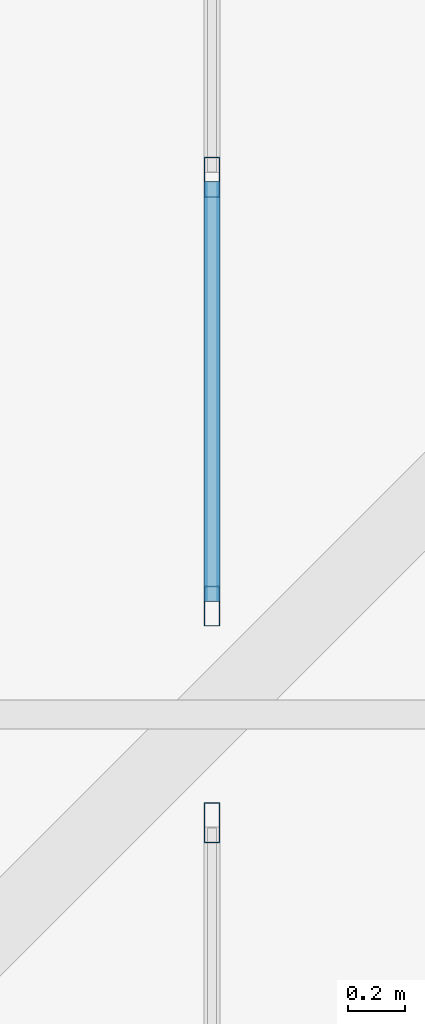
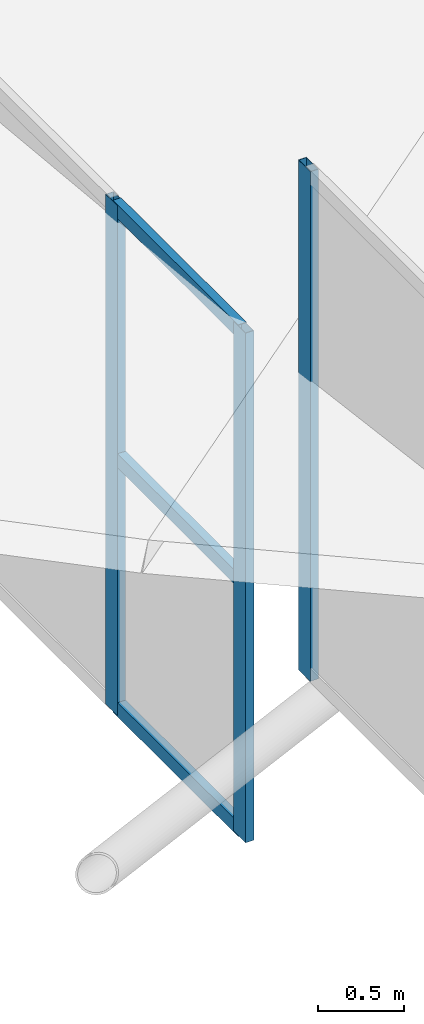
# One storey, part 294 of 397: 6 members, 2 elements without a shape of their own.
"""IFC4 building model written with IfcOpenShell, lengths in metres."""

from ifc_helpers import new_model, si_unit, direction, frame, origin, origin_2d, place, context, subcontext, project, spatial, hollow_rectangle, extrude, material, material_profile, profile_set, type_object, element, aggregate, save


model = new_model("IFC4")

# Units and contexts
model_context = context("Model", 3, precision=1e-05, world=origin(), true_north=direction((0.0, 1.0)))
body_context = subcontext(model_context, "Body", "Model", "MODEL_VIEW")
ifc_project = project(units=[si_unit("LENGTHUNIT", "METRE"), si_unit("AREAUNIT", "SQUARE_METRE"), si_unit("VOLUMEUNIT", "CUBIC_METRE"), si_unit("PLANEANGLEUNIT", "RADIAN"), si_unit("MASSUNIT", "GRAM", prefix="KILO")], contexts=[model_context])

# Site, building, storey
site_placement = place(None, origin())
site = spatial("IfcSite", under=ifc_project, at=site_placement, CompositionType="ELEMENT")
building_placement = place(site_placement, origin())
building = spatial("IfcBuilding", under=site, at=building_placement, Name="Qandorah Velis Arena", CompositionType="ELEMENT")
storey_placement = place(building_placement, frame((0.0, 0.0, 27.5)))
storey = spatial("IfcBuildingStorey", under=building, at=storey_placement, Name="RF", CompositionType="ELEMENT", Elevation=27.5)

# Curtain wall, member
ifc_material_1 = material(Name="Solar-control low-E double glazing", Category="glass")
curtain_wall_type_1 = type_object("IfcCurtainWallType", Name="ARC-CW-SYS17", PredefinedType="USERDEFINED", material=ifc_material_1)
curtain_wall_1_placement = place(storey_placement, origin())
curtain_wall_1 = element("IfcCurtainWall", 1, at=curtain_wall_1_placement, inside=storey, type_object=curtain_wall_type_1, Name="Unitised curtain wall MON-2-5", ObjectType="UNITISED CURTAIN WALL", PredefinedType="USERDEFINED")
ifc_material_2 = material(Name="Champagne-bronze anodized aluminium 6063-T6", Category="aluminium")
ifc_material_profile_1 = material_profile(ifc_material_2, hollow_rectangle(XDim=0.054931640625, YDim=0.139892578125, WallThickness=0.0029296875, at=origin_2d()), Name="ALU MULLION 55x140")
ifc_profile_set_1 = profile_set([ifc_material_profile_1], Name="Champagne-bronze anodized aluminium 6063-T6")
member_type_1 = type_object("IfcMemberType", Name="ARC-CWM-140", PredefinedType="MULLION", material=ifc_profile_set_1)
member_1_placement = place(storey_placement, frame((108.0, 93.222412109375, 5.13427734375), z_axis=(0.0, 0.0, 1.0), x_axis=(-1.0, 0.0, 0.0)))
member_1 = element("IfcMember", 2, at=member_1_placement, type_object=member_type_1, Name="CW17 mullion 10", PredefinedType="MULLION", context=body_context, shape_type="SweptSolid", body=[
    extrude(hollow_rectangle(XDim=0.054931640625, YDim=0.139892578125, WallThickness=0.0029296875, at=origin_2d()), origin(), (0.0, 0.0, 1.0), 3.630126953125),
])
aggregate(curtain_wall_1, [member_1])

# Curtain wall, members
curtain_wall_type_2 = type_object("IfcCurtainWallType", Name="ARC-CW-SYS18", PredefinedType="USERDEFINED", material=ifc_material_1)
curtain_wall_2_placement = place(storey_placement, origin())
curtain_wall_2 = element("IfcCurtainWall", 3, at=curtain_wall_2_placement, inside=storey, type_object=curtain_wall_type_2, Name="Unitised curtain wall MON-2-6", ObjectType="UNITISED CURTAIN WALL", PredefinedType="USERDEFINED")
member_2_placement = place(storey_placement, frame((108.0, 93.9775390625, 3.5263671875), z_axis=(0.0, 0.0, 1.0), x_axis=(-1.0, 0.0, 0.0)))
member_2 = element("IfcMember", 4, at=member_2_placement, type_object=member_type_1, Name="CW18 mullion 1", PredefinedType="MULLION", context=body_context, shape_type="SweptSolid", body=[
    extrude(hollow_rectangle(XDim=0.054931640625, YDim=0.139892578125, WallThickness=0.0029296875, at=origin_2d()), origin(), (0.0, 0.0, 1.0), 3.630126953125),
])
member_3_placement = place(storey_placement, frame((108.0, 95.47216796875, 3.5263671875), z_axis=(0.0, 0.0, 1.0), x_axis=(-1.0, 0.0, 0.0)))
member_3 = element("IfcMember", 5, at=member_3_placement, type_object=member_type_1, Name="CW18 mullion 2", PredefinedType="MULLION", context=body_context, shape_type="SweptSolid", body=[
    extrude(hollow_rectangle(XDim=0.054931640625, YDim=0.139892578125, WallThickness=0.0029296875, at=origin_2d()), origin(), (0.0, 0.0, 1.0), 3.630126953125),
])
ifc_material_profile_2 = material_profile(ifc_material_2, hollow_rectangle(XDim=0.054931640625, YDim=0.10009765625, WallThickness=0.0029296875, at=origin_2d()), Name="ALU TRANSOM 55x100")
ifc_profile_set_2 = profile_set([ifc_material_profile_2], Name="Champagne-bronze anodized aluminium 6063-T6")
member_type_2 = type_object("IfcMemberType", Name="ARC-CWT-100", PredefinedType="USERDEFINED", material=ifc_profile_set_2)
member_4_placement = place(storey_placement, frame((108.0, 93.992919921875, 3.56884765625), z_axis=(0.0, 1.0, 0.0), x_axis=(-1.0, 0.0, 0.0)))
member_4 = element("IfcMember", 6, at=member_4_placement, type_object=member_type_2, Name="CW18 transom 1.1", ObjectType="TRANSOM", PredefinedType="USERDEFINED", context=body_context, shape_type="SweptSolid", body=[
    extrude(hollow_rectangle(XDim=0.054931640625, YDim=0.10009765625, WallThickness=0.0029296875, at=origin_2d()), origin(), (0.0, 0.0, 1.0), 1.4638671875),
])
member_5_placement = place(storey_placement, frame((108.0, 93.992919921875, 5.34130859375), z_axis=(0.0, 1.0, 0.0), x_axis=(-1.0, 0.0, 0.0)))
member_5 = element("IfcMember", 7, at=member_5_placement, type_object=member_type_2, Name="CW18 transom 1.2", ObjectType="TRANSOM", PredefinedType="USERDEFINED", context=body_context, shape_type="SweptSolid", body=[
    extrude(hollow_rectangle(XDim=0.054931640625, YDim=0.10009765625, WallThickness=0.0029296875, at=origin_2d()), origin(), (0.0, 0.0, 1.0), 1.4638671875),
])
member_6_placement = place(storey_placement, frame((108.0, 93.992919921875, 7.114013671875), z_axis=(0.0, 1.0, 0.0), x_axis=(-1.0, 0.0, 0.0)))
member_6 = element("IfcMember", 8, at=member_6_placement, type_object=member_type_2, Name="CW18 transom 1.3", ObjectType="TRANSOM", PredefinedType="USERDEFINED", context=body_context, shape_type="SweptSolid", body=[
    extrude(hollow_rectangle(XDim=0.054931640625, YDim=0.10009765625, WallThickness=0.0029296875, at=origin_2d()), origin(), (0.0, 0.0, 1.0), 1.4638671875),
])
aggregate(curtain_wall_2, [member_2, member_3, member_4, member_5, member_6])

save(model, "model.ifc")
